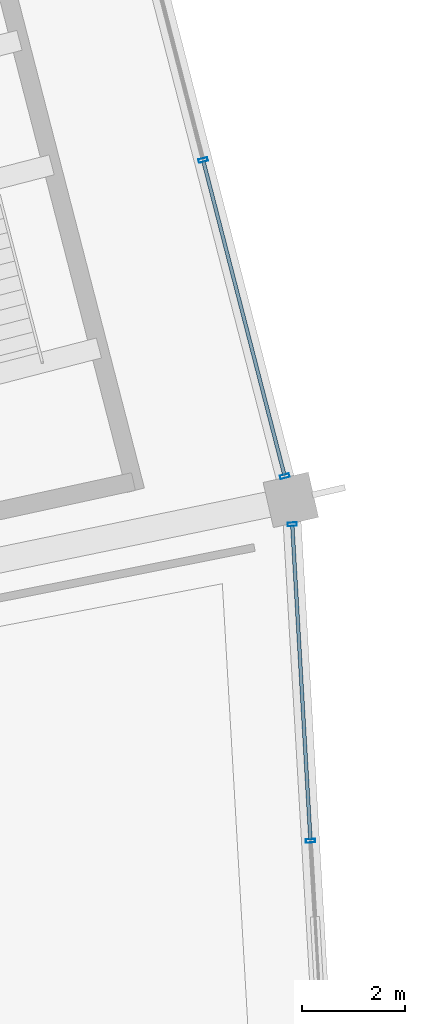
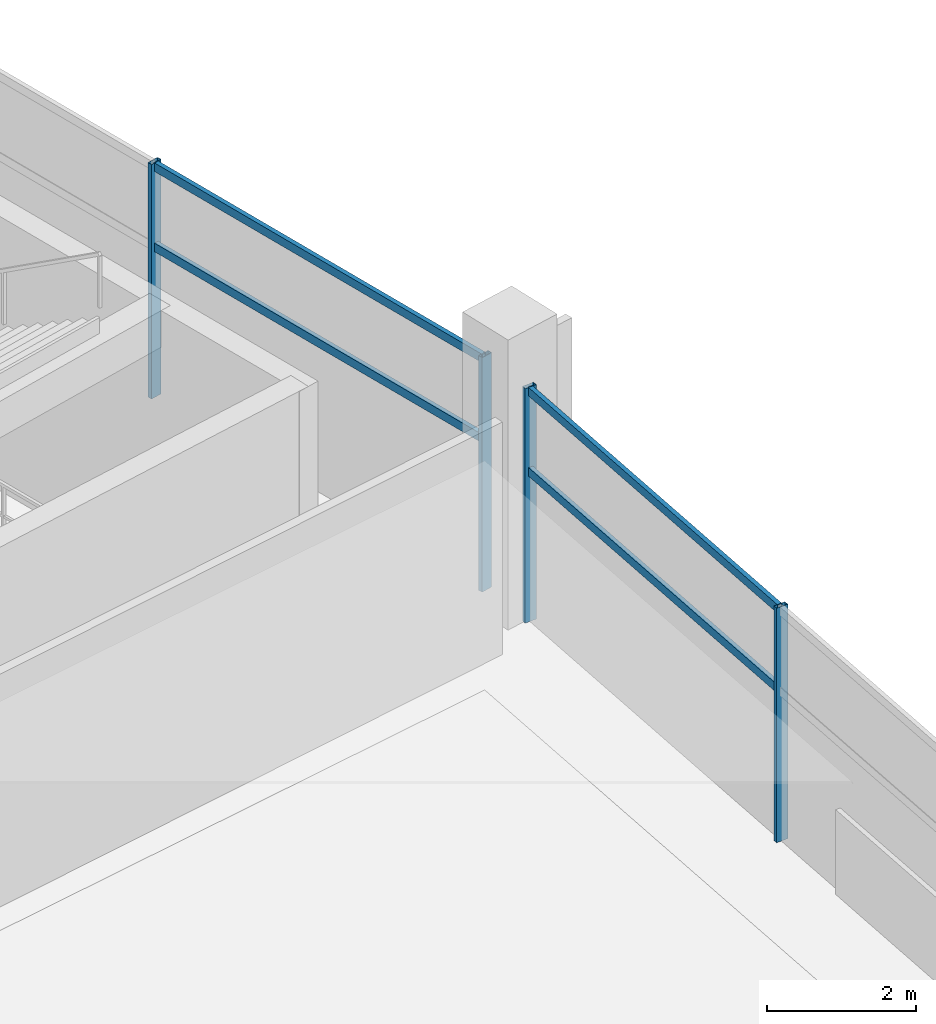
# One storey, part 64 of 156: 8 members, 2 elements without a shape of their own.
"""IFC4 building model written with IfcOpenShell, lengths in metres."""

from ifc_helpers import new_model, si_unit, direction, frame, origin, origin_2d, place, context, subcontext, project, spatial, hollow_rectangle, extrude, material, layer, layer_set, material_profile, profile_set, type_object, element, aggregate, save


model = new_model("IFC4")

# Units and contexts
model_context = context("Model", 3, precision=1e-05, world=origin(), true_north=direction((0.0, 1.0)))
body_context = subcontext(model_context, "Body", "Model", "MODEL_VIEW")
ifc_project = project(units=[si_unit("LENGTHUNIT", "METRE"), si_unit("AREAUNIT", "SQUARE_METRE"), si_unit("VOLUMEUNIT", "CUBIC_METRE"), si_unit("PLANEANGLEUNIT", "RADIAN"), si_unit("MASSUNIT", "GRAM", prefix="KILO")], contexts=[model_context])

# Site, building, storey
site_placement = place(None, origin())
site = spatial("IfcSite", under=ifc_project, at=site_placement, CompositionType="ELEMENT")
building_placement = place(site_placement, origin())
building = spatial("IfcBuilding", under=site, at=building_placement, Name="Kazemori Nagisa Stadium", CompositionType="ELEMENT")
storey_placement = place(building_placement, frame((0.0, 0.0, 5.780029296875)))
storey = spatial("IfcBuildingStorey", under=building, at=storey_placement, Name="L01", CompositionType="ELEMENT", Elevation=5.780029296875)

# Curtain wall, members
ifc_material_1 = material(Name="Anodised aluminium 6063-T5", Category="aluminium")
ifc_layer_1 = layer(ifc_material_1, 0.179931640625, Name="Anodised aluminium 6063-T5", Category="aluminium")
ifc_layer_set_1 = layer_set([ifc_layer_1], Name="Anodised aluminium 6063-T5")
curtain_wall_type_1 = type_object("IfcCurtainWallType", Name="CW_L01R3_93", PredefinedType="USERDEFINED", material=ifc_layer_set_1)
curtain_wall_1_placement = place(storey_placement, origin())
curtain_wall_1 = element("IfcCurtainWall", 1, at=curtain_wall_1_placement, inside=storey, type_object=curtain_wall_type_1, Name="Unitised curtain wall CW-L01R3-93 L01", ObjectType="UNITISED CURTAIN WALL", PredefinedType="USERDEFINED")
ifc_material_2 = material(Name="Aluminium 6063-T5 anodised", Category="aluminium")
ifc_material_profile_1 = material_profile(ifc_material_2, hollow_rectangle(XDim=0.070068359375, YDim=0.179931640625, WallThickness=0.00390625, at=origin_2d()), Name="ALU-MULL-70x180x4")
ifc_profile_set_1 = profile_set([ifc_material_profile_1], Name="Aluminium 6063-T5 anodised")
member_type_1 = type_object("IfcMemberType", Name="Mullion_M01", PredefinedType="MULLION", material=ifc_profile_set_1)
member_1_placement = place(storey_placement, frame((217.262939453125, 114.773681640625, 0.0), z_axis=(0.0, 0.0, 1.0), x_axis=(-0.057601670941, 0.998339645364, 0.0)))
member_1 = element("IfcMember", 2, at=member_1_placement, type_object=member_type_1, Name="Curtain wall mullion CW-L01R3-93-M3", PredefinedType="MULLION", context=body_context, shape_type="SweptSolid", body=[
    extrude(hollow_rectangle(XDim=0.070068359375, YDim=0.179931640625, WallThickness=0.00390625, at=origin_2d()), origin(), (0.0, 0.0, 1.0), 3.849853515625),
])
member_2_placement = place(storey_placement, frame((216.908203125, 120.923583984375, 0.0), z_axis=(0.0, 0.0, 1.0), x_axis=(-0.057601670941, 0.998339645364, 0.0)))
member_2 = element("IfcMember", 3, at=member_2_placement, type_object=member_type_1, Name="Curtain wall mullion CW-L01R3-93-M4", PredefinedType="MULLION", context=body_context, shape_type="SweptSolid", body=[
    extrude(hollow_rectangle(XDim=0.070068359375, YDim=0.179931640625, WallThickness=0.00390625, at=origin_2d()), origin(), (0.0, 0.0, 1.0), 3.849853515625),
])

ifc_layer_2 = layer(ifc_material_1, 0.179931640625, Name="Anodised aluminium 6063-T5", Category="aluminium")
ifc_layer_set_2 = layer_set([ifc_layer_2], Name="Anodised aluminium 6063-T5")
curtain_wall_type_2 = type_object("IfcCurtainWallType", Name="CW_L01R3_96", PredefinedType="USERDEFINED", material=ifc_layer_set_2)
curtain_wall_2_placement = place(storey_placement, origin())
curtain_wall_2 = element("IfcCurtainWall", 4, at=curtain_wall_2_placement, inside=storey, type_object=curtain_wall_type_2, Name="Unitised curtain wall CW-L01R3-96 L01", ObjectType="UNITISED CURTAIN WALL", PredefinedType="USERDEFINED")
member_3_placement = place(storey_placement, frame((216.761962890625, 121.857666015625, 0.0), z_axis=(0.0, 0.0, 1.0), x_axis=(-0.249964642418, 0.968254965152, 0.0)))
member_3 = element("IfcMember", 5, at=member_3_placement, type_object=member_type_1, Name="Curtain wall mullion CW-L01R3-96-M1", PredefinedType="MULLION", context=body_context, shape_type="SweptSolid", body=[
    extrude(hollow_rectangle(XDim=0.070068359375, YDim=0.179931640625, WallThickness=0.00390625, at=origin_2d()), origin(), (0.0, 0.0, 1.0), 3.849853515625),
])
member_4_placement = place(storey_placement, frame((215.176025390625, 128.001708984375, 0.0), z_axis=(0.0, 0.0, 1.0), x_axis=(-0.249964642418, 0.968254965152, 0.0)))
member_4 = element("IfcMember", 6, at=member_4_placement, type_object=member_type_1, Name="Curtain wall mullion CW-L01R3-96-M2", PredefinedType="MULLION", context=body_context, shape_type="SweptSolid", body=[
    extrude(hollow_rectangle(XDim=0.070068359375, YDim=0.179931640625, WallThickness=0.00390625, at=origin_2d()), origin(), (0.0, 0.0, 1.0), 3.849853515625),
])

# Member
ifc_material_profile_2 = material_profile(ifc_material_2, hollow_rectangle(XDim=0.070068359375, YDim=0.139892578125, WallThickness=0.00390625, at=origin_2d()), Name="ALU-TRAN-70x140x4")
ifc_profile_set_2 = profile_set([ifc_material_profile_2], Name="Aluminium 6063-T5 anodised")
member_type_2 = type_object("IfcMemberType", Name="Transom_T01", PredefinedType="USERDEFINED", material=ifc_profile_set_2)
member_5_placement = place(storey_placement, frame((217.26171875, 114.793701171875, 2.4638671875), z_axis=(-0.057564421344, 0.998341793874, 0.0), x_axis=(-0.998341793874, -0.057564421344, 0.0)))
member_5 = element("IfcMember", 7, at=member_5_placement, type_object=member_type_2, Name="Curtain wall transom CW-L01R3-93-T3-mid", ObjectType="TRANSOM", PredefinedType="USERDEFINED", context=body_context, shape_type="SweptSolid", body=[
    extrude(hollow_rectangle(XDim=0.070068359375, YDim=0.139892578125, WallThickness=0.00390625, at=origin_2d()), origin(), (0.0, 0.0, 1.0), 6.1201171875),
])

member_6_placement = place(storey_placement, frame((217.26171875, 114.793701171875, 3.780029296875), z_axis=(-0.057564421344, 0.998341793874, 0.0), x_axis=(-0.998341793874, -0.057564421344, 0.0)))
member_6 = element("IfcMember", 8, at=member_6_placement, type_object=member_type_2, Name="Curtain wall transom CW-L01R3-93-T3-head", ObjectType="TRANSOM", PredefinedType="USERDEFINED", context=body_context, shape_type="SweptSolid", body=[
    extrude(hollow_rectangle(XDim=0.070068359375, YDim=0.139892578125, WallThickness=0.00390625, at=origin_2d()), origin(), (0.0, 0.0, 1.0), 6.1201171875),
])

aggregate(curtain_wall_1, [member_1, member_2, member_5, member_6])

member_7_placement = place(storey_placement, frame((216.757080078125, 121.876953125, 2.4638671875), z_axis=(-0.249971699633, 0.968253143234, 0.0), x_axis=(-0.968253143234, -0.249971699633, 0.0)))
member_7 = element("IfcMember", 9, at=member_7_placement, type_object=member_type_2, Name="Curtain wall transom CW-L01R3-96-T1-mid", ObjectType="TRANSOM", PredefinedType="USERDEFINED", context=body_context, shape_type="SweptSolid", body=[
    extrude(hollow_rectangle(XDim=0.070068359375, YDim=0.139892578125, WallThickness=0.00390625, at=origin_2d()), origin(), (0.0, 0.0, 1.0), 6.305419921875),
])

member_8_placement = place(storey_placement, frame((216.757080078125, 121.876953125, 3.780029296875), z_axis=(-0.249971699633, 0.968253143234, 0.0), x_axis=(-0.968253143234, -0.249971699633, 0.0)))
member_8 = element("IfcMember", 10, at=member_8_placement, type_object=member_type_2, Name="Curtain wall transom CW-L01R3-96-T1-head", ObjectType="TRANSOM", PredefinedType="USERDEFINED", context=body_context, shape_type="SweptSolid", body=[
    extrude(hollow_rectangle(XDim=0.070068359375, YDim=0.139892578125, WallThickness=0.00390625, at=origin_2d()), origin(), (0.0, 0.0, 1.0), 6.305419921875),
])

aggregate(curtain_wall_2, [member_3, member_4, member_7, member_8])

save(model, "model.ifc")
